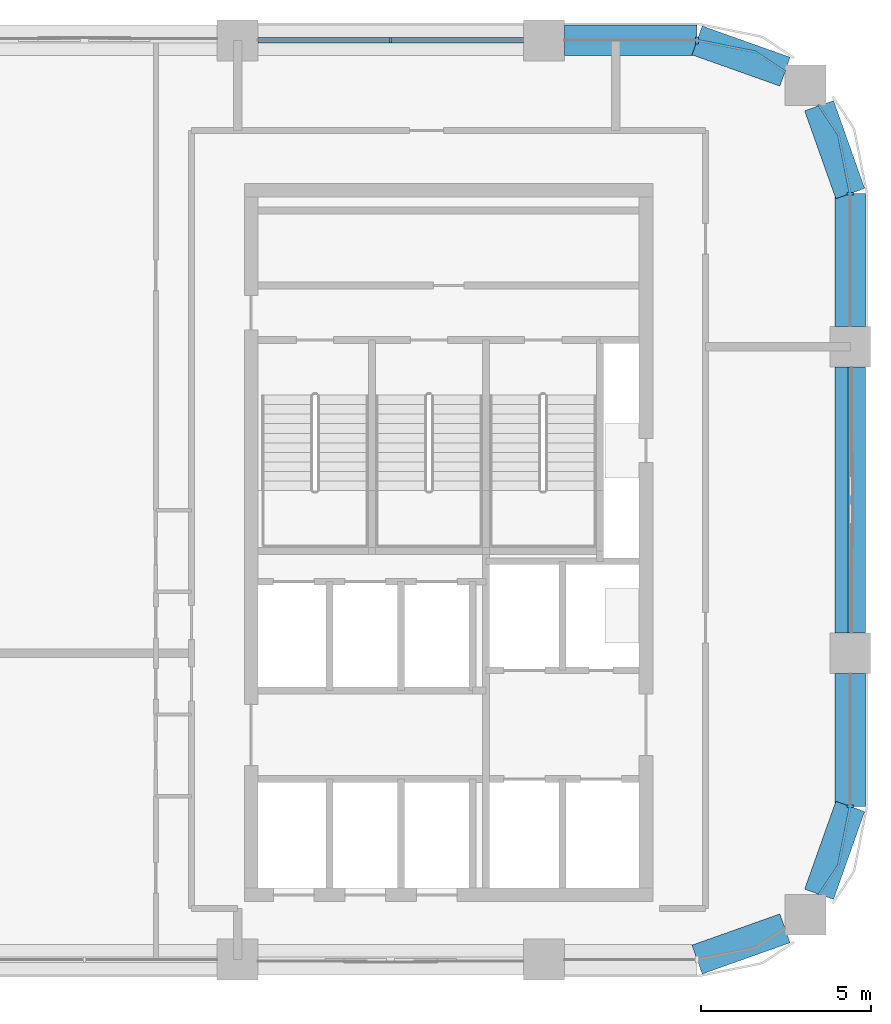
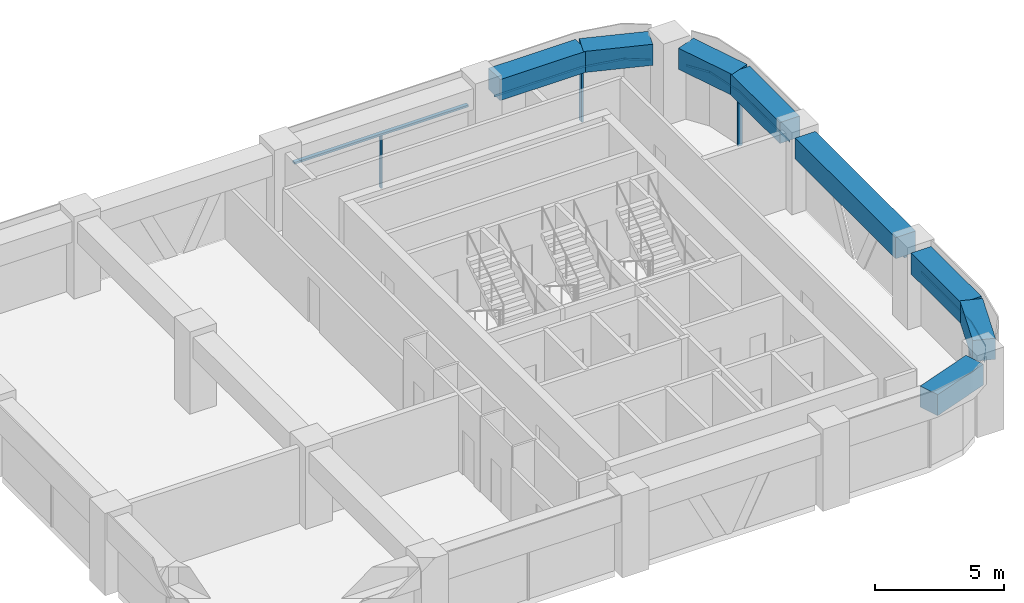
# One storey, part 4 of 9: 9 members, 8 beams, 5 elements without a shape of their own.
"""IFC4 building model written with IfcOpenShell, lengths in metres."""

from ifc_helpers import new_model, si_unit, direction, frame, origin, origin_2d, place, context, subcontext, project, spatial, polyline, rectangle, outline, extrude, material, material_profile, profile_set, type_object, element, aggregate, save


model = new_model("IFC4")

# Units and contexts
model_context = context("Model", 3, precision=1e-05, world=origin(), true_north=direction((0.0, 1.0)))
body_context = subcontext(model_context, "Body", "Model", "MODEL_VIEW")
ifc_project = project(units=[si_unit("LENGTHUNIT", "METRE"), si_unit("AREAUNIT", "SQUARE_METRE"), si_unit("VOLUMEUNIT", "CUBIC_METRE"), si_unit("PLANEANGLEUNIT", "RADIAN"), si_unit("MASSUNIT", "GRAM", prefix="KILO")], contexts=[model_context])

# Site, building, storey
site_placement = place(None, origin())
site = spatial("IfcSite", under=ifc_project, at=site_placement, CompositionType="ELEMENT")
building_placement = place(site_placement, origin())
building = spatial("IfcBuilding", under=site, at=building_placement, Name="Tessera Arch", CompositionType="ELEMENT")
storey_placement = place(building_placement, frame((0.0, 0.0, 273.5)))
storey = spatial("IfcBuildingStorey", under=building, at=storey_placement, Name="L66", CompositionType="ELEMENT", Elevation=273.5)

# Curtain wall, members
ifc_material_1 = material(Name="CW1 curtain wall")
curtain_wall_type_1 = type_object("IfcCurtainWallType", Name="CW1 curtain wall", PredefinedType="NOTDEFINED", material=ifc_material_1)
curtain_wall_1_placement = place(storey_placement, origin())
curtain_wall_1 = element("IfcCurtainWall", 1, at=curtain_wall_1_placement, inside=storey, type_object=curtain_wall_type_1, Name="CW1 curtain wall N54.18/1 L66", PredefinedType="NOTDEFINED")
ifc_material_2 = material(Name="Anodised aluminium pale metal", Category="aluminium")
ifc_material_profile_1 = material_profile(ifc_material_2, rectangle(XDim=0.159912109375, YDim=0.06005859375, at=origin_2d()), Name="AL 60x160")
ifc_profile_set_1 = profile_set([ifc_material_profile_1], Name="Anodised aluminium pale metal")
member_type_1 = type_object("IfcMemberType", Name="CW1 mullion", PredefinedType="MULLION", material=ifc_profile_set_1)
member_1_placement = place(storey_placement, frame((40.5, 54.0, 0.0), z_axis=(0.0, 0.0, 1.0), x_axis=(0.0, -1.0, 0.0)))
member_1 = element("IfcMember", 2, at=member_1_placement, type_object=member_type_1, Name="CW1 mullion N54.18/1 1", PredefinedType="MULLION", context=body_context, shape_type="SweptSolid", body=[
    extrude(rectangle(XDim=0.159912109375, YDim=0.06005859375, at=origin_2d()), origin(), (0.0, 0.0, 1.0), 2.5),
])
ifc_material_3 = material(Name="Anodised aluminium pale metal", Category="aluminium")
ifc_material_profile_2 = material_profile(ifc_material_3, rectangle(XDim=0.159912109375, YDim=0.10009765625, at=origin_2d()), Name="AL 160x100")
ifc_profile_set_2 = profile_set([ifc_material_profile_2], Name="Anodised aluminium pale metal")
member_type_2 = type_object("IfcMemberType", Name="CW1 transom", PredefinedType="USERDEFINED", material=ifc_profile_set_2)
member_2_placement = place(storey_placement, frame((44.39990234375, 54.0, 2.550048828125), z_axis=(-1.0, 0.0, 0.0), x_axis=(0.0, -1.0, 0.0)))
member_2 = element("IfcMember", 3, at=member_2_placement, type_object=member_type_2, Name="CW1 transom N54.18/1 1.1", ObjectType="TRANSOM", PredefinedType="USERDEFINED", context=body_context, shape_type="SweptSolid", body=[
    extrude(rectangle(XDim=0.159912109375, YDim=0.10009765625, at=origin_2d()), origin(), (0.0, 0.0, 1.0), 7.7998046875),
])
aggregate(curtain_wall_1, [member_1, member_2])

# Curtain wall, member
ifc_material_4 = material(Name="CW2 curtain wall")
curtain_wall_type_2 = type_object("IfcCurtainWallType", Name="CW2 curtain wall", PredefinedType="NOTDEFINED", material=ifc_material_4)
curtain_wall_2_placement = place(storey_placement, origin())
curtain_wall_2 = element("IfcCurtainWall", 4, at=curtain_wall_2_placement, inside=storey, type_object=curtain_wall_type_2, Name="CW2 curtain wall E54.27/1 L66", PredefinedType="NOTDEFINED")
ifc_material_5 = material(Name="Anodised aluminium pale metal", Category="aluminium")
ifc_material_profile_3 = material_profile(ifc_material_5, rectangle(XDim=0.199951171875, YDim=0.080078125, at=origin_2d()), Name="AL 80x200")
ifc_profile_set_3 = profile_set([ifc_material_profile_3], Name="Anodised aluminium pale metal")
member_type_3 = type_object("IfcMemberType", Name="CW2 mullion", PredefinedType="MULLION", material=ifc_profile_set_3)
member_3_placement = place(storey_placement, frame((54.0, 49.5, 0.0), z_axis=(0.0, 0.0, 1.0), x_axis=(-1.0, 0.0, 0.0)))
member_3 = element("IfcMember", 5, at=member_3_placement, type_object=member_type_3, Name="CW2 mullion E54.27/1 1", PredefinedType="MULLION", context=body_context, shape_type="SweptSolid", body=[
    extrude(rectangle(XDim=0.199951171875, YDim=0.080078125, at=origin_2d()), origin(), (0.0, 0.0, 1.0), 2.5),
])

curtain_wall_3_placement = place(storey_placement, origin())
curtain_wall_3 = element("IfcCurtainWall", 6, at=curtain_wall_3_placement, inside=storey, type_object=curtain_wall_type_2, Name="CW2 curtain wall N54.18/0 L66", PredefinedType="NOTDEFINED")
member_4_placement = place(storey_placement, frame((49.5, 54.0, 0.0), z_axis=(0.0, 0.0, 1.0), x_axis=(0.0, -1.0, 0.0)))
member_4 = element("IfcMember", 7, at=member_4_placement, type_object=member_type_3, Name="CW2 mullion N54.18/0 1", PredefinedType="MULLION", context=body_context, shape_type="SweptSolid", body=[
    extrude(rectangle(XDim=0.199951171875, YDim=0.080078125, at=origin_2d()), origin(), (0.0, 0.0, 1.0), 2.5),
])

curtain_wall_4_placement = place(storey_placement, origin())
curtain_wall_4 = element("IfcCurtainWall", 8, at=curtain_wall_4_placement, inside=storey, type_object=curtain_wall_type_2, Name="CW2 curtain wall E54.27/2 L66", PredefinedType="NOTDEFINED")
member_5_placement = place(storey_placement, frame((54.0, 31.5, 0.0), z_axis=(0.0, 0.0, 1.0), x_axis=(-1.0, 0.0, 0.0)))
member_5 = element("IfcMember", 9, at=member_5_placement, type_object=member_type_3, Name="CW2 mullion E54.27/2 1", PredefinedType="MULLION", context=body_context, shape_type="SweptSolid", body=[
    extrude(rectangle(XDim=0.199951171875, YDim=0.080078125, at=origin_2d()), origin(), (0.0, 0.0, 1.0), 2.5),
])

# Member
ifc_material_6 = material(Name="Anodised aluminium pale metal", Category="aluminium")
ifc_material_profile_4 = material_profile(ifc_material_6, rectangle(XDim=0.199951171875, YDim=0.10009765625, at=origin_2d()), Name="AL 200x100")
ifc_profile_set_4 = profile_set([ifc_material_profile_4], Name="Anodised aluminium pale metal")
member_type_4 = type_object("IfcMemberType", Name="CW2 transom", PredefinedType="USERDEFINED", material=ifc_profile_set_4)
member_6_placement = place(storey_placement, frame((0.0, 0.0, 2.5)))
member_6 = element("IfcMember", 10, at=member_6_placement, type_object=member_type_4, Name="CW2 transom E54.27/1 1", ObjectType="TRANSOM", PredefinedType="USERDEFINED", context=body_context, shape_type="SweptSolid", body=[
    extrude(outline(polyline([(53.989990234375, 49.4990234375), (53.989990234375, 45.60009765625), (54.010009765625, 45.60009765625), (54.010009765625, 49.5009765625), (53.6669921875, 51.22607421875), (53.09130859375, 52.087646484375), (53.07470703125, 52.076416015625), (53.648193359375, 51.21826171875), (53.989990234375, 49.4990234375)])), origin(), (0.0, 0.0, 1.0), 0.10009765625),
])

aggregate(curtain_wall_2, [member_3, member_6])

member_7_placement = place(storey_placement, frame((0.0, 0.0, 2.5)))
member_7 = element("IfcMember", 11, at=member_7_placement, type_object=member_type_4, Name="CW2 transom N54.18/0 1", ObjectType="TRANSOM", PredefinedType="USERDEFINED", context=body_context, shape_type="SweptSolid", body=[
    extrude(outline(polyline([(51.21826171875, 53.648193359375), (52.076416015625, 53.07470703125), (52.087646484375, 53.09130859375), (51.22607421875, 53.6669921875), (49.5009765625, 54.010009765625), (45.60009765625, 54.010009765625), (45.60009765625, 53.989990234375), (49.4990234375, 53.989990234375), (51.21826171875, 53.648193359375)])), origin(), (0.0, 0.0, 1.0), 0.10009765625),
])

aggregate(curtain_wall_3, [member_4, member_7])

member_8_placement = place(storey_placement, frame((0.0, 0.0, 2.5)))
member_8 = element("IfcMember", 12, at=member_8_placement, type_object=member_type_4, Name="CW2 transom E54.27/2 1", ObjectType="TRANSOM", PredefinedType="USERDEFINED", context=body_context, shape_type="SweptSolid", body=[
    extrude(outline(polyline([(53.648193359375, 29.78173828125), (53.07470703125, 28.923583984375), (53.09130859375, 28.912353515625), (53.6669921875, 29.77392578125), (54.010009765625, 31.4990234375), (54.010009765625, 35.39990234375), (53.989990234375, 35.39990234375), (53.989990234375, 31.5009765625), (53.648193359375, 29.78173828125)])), origin(), (0.0, 0.0, 1.0), 0.10009765625),
])

aggregate(curtain_wall_4, [member_5, member_8])

# Curtain wall, member
ifc_material_7 = material(Name="CW3 curtain wall")
curtain_wall_type_3 = type_object("IfcCurtainWallType", Name="CW3 curtain wall", PredefinedType="NOTDEFINED", material=ifc_material_7)
curtain_wall_5_placement = place(storey_placement, origin())
curtain_wall_5 = element("IfcCurtainWall", 13, at=curtain_wall_5_placement, inside=storey, type_object=curtain_wall_type_3, Name="CW3 curtain wall E54.27/0 L66", PredefinedType="NOTDEFINED")
ifc_material_8 = material(Name="Anodised aluminium pale metal", Category="aluminium")
ifc_material_profile_5 = material_profile(ifc_material_8, rectangle(XDim=0.139892578125, YDim=0.10009765625, at=origin_2d()), Name="AL 140x100")
ifc_profile_set_5 = profile_set([ifc_material_profile_5], Name="Anodised aluminium pale metal")
member_type_5 = type_object("IfcMemberType", Name="CW3 transom", PredefinedType="USERDEFINED", material=ifc_profile_set_5)
member_9_placement = place(storey_placement, frame((54.0, 36.60009765625, 2.550048828125), z_axis=(0.0, 1.0, 0.0), x_axis=(-1.0, 0.0, 0.0)))
member_9 = element("IfcMember", 14, at=member_9_placement, type_object=member_type_5, Name="CW3 transom E54.27/0 1.1", ObjectType="TRANSOM", PredefinedType="USERDEFINED", context=body_context, shape_type="SweptSolid", body=[
    extrude(rectangle(XDim=0.139892578125, YDim=0.10009765625, at=origin_2d()), origin(), (0.0, 0.0, 1.0), 7.7998046875),
])
aggregate(curtain_wall_5, [member_9])

# Beams
ifc_material_9 = material(Name="Concrete C60/75", Category="concrete")
ifc_material_profile_6 = material_profile(ifc_material_9, rectangle(XDim=0.89990234375, YDim=1.0, at=origin_2d()), Name="RC spandrel beam 900 x 1000 Concrete C60/75")
ifc_profile_set_6 = profile_set([ifc_material_profile_6], Name="Concrete C60/75")
beam_type = type_object("IfcBeamType", Name="RC spandrel beam 900 x 1000 Concrete C60/75", PredefinedType="BEAM", material=ifc_profile_set_6)
beam_1_placement = place(storey_placement, frame((54.0, 36.60009765625, 3.10009765625), z_axis=(0.0, 1.0, 0.0), x_axis=(-1.0, 0.0, 0.0)))
element("IfcBeam", 15, at=beam_1_placement, inside=storey, type_object=beam_type, Name="Spandrel beam L66 E54.27/0", PredefinedType="BEAM", context=body_context, shape_type="SweptSolid", body=[
    extrude(rectangle(XDim=0.89990234375, YDim=1.0, at=origin_2d()), origin(), (0.0, 0.0, 1.0), 7.7998046875),
])
beam_2_placement = place(storey_placement, frame((54.0, 45.60009765625, 3.10009765625), z_axis=(0.0, 1.0, 0.0), x_axis=(-1.0, 0.0, 0.0)))
element("IfcBeam", 16, at=beam_2_placement, inside=storey, type_object=beam_type, Name="Spandrel beam L66 E54.27/1.1", PredefinedType="BEAM", context=body_context, shape_type="SweptSolid", body=[
    extrude(rectangle(XDim=0.89990234375, YDim=1.0, at=origin_2d()), origin(), (0.0, 0.0, 1.0), 3.89990234375),
])
for number, where, z_axis, x_axis, name in (
    (17, (54.0, 49.5, 3.10009765625), (-0.334665114373, 0.942337127159, 0.0), (-0.942337127159, -0.334665114373, 0.0), "Spandrel beam L66 E54.27/1.2"),
    (18, (52.08203125, 53.0830078125, 3.10009765625), (-0.942337127159, 0.334665114373, 0.0), (-0.334665114373, -0.942337127159, 0.0), "Spandrel beam L66 N54.18/0.1"),
):
    element("IfcBeam", number, at=place(storey_placement, frame(where, z_axis=z_axis, x_axis=x_axis)), inside=storey, type_object=beam_type, Name=name, PredefinedType="BEAM", context=body_context, shape_type="SweptSolid", body=[
        extrude(rectangle(XDim=0.89990234375, YDim=1.0, at=origin_2d()), origin(), (0.0, 0.0, 1.0), 2.739990234375),
    ])
beam_3_placement = place(storey_placement, frame((49.5, 54.0, 3.10009765625), z_axis=(-1.0, 0.0, 0.0), x_axis=(0.0, -1.0, 0.0)))
element("IfcBeam", 19, at=beam_3_placement, inside=storey, type_object=beam_type, Name="Spandrel beam L66 N54.18/0.2", PredefinedType="BEAM", context=body_context, shape_type="SweptSolid", body=[
    extrude(rectangle(XDim=0.89990234375, YDim=1.0, at=origin_2d()), origin(), (0.0, 0.0, 1.0), 3.89990234375),
])
for number, where, z_axis, x_axis, name in (
    (20, (49.5, 27.0, 3.10009765625), (0.942337127159, 0.334665114373, 0.0), (-0.334665114373, 0.942337127159, 0.0), "Spandrel beam L66 S27.18/3.2"),
    (21, (53.0830078125, 28.91796875, 3.10009765625), (0.334665114373, 0.942337127159, 0.0), (-0.942337127159, 0.334665114373, 0.0), "Spandrel beam L66 E54.27/2.1"),
):
    element("IfcBeam", number, at=place(storey_placement, frame(where, z_axis=z_axis, x_axis=x_axis)), inside=storey, type_object=beam_type, Name=name, PredefinedType="BEAM", context=body_context, shape_type="SweptSolid", body=[
        extrude(rectangle(XDim=0.89990234375, YDim=1.0, at=origin_2d()), origin(), (0.0, 0.0, 1.0), 2.739990234375),
    ])
beam_4_placement = place(storey_placement, frame((54.0, 31.5, 3.10009765625), z_axis=(0.0, 1.0, 0.0), x_axis=(-1.0, 0.0, 0.0)))
element("IfcBeam", 22, at=beam_4_placement, inside=storey, type_object=beam_type, Name="Spandrel beam L66 E54.27/2.2", PredefinedType="BEAM", context=body_context, shape_type="SweptSolid", body=[
    extrude(rectangle(XDim=0.89990234375, YDim=1.0, at=origin_2d()), origin(), (0.0, 0.0, 1.0), 3.89990234375),
])

save(model, "model.ifc")
